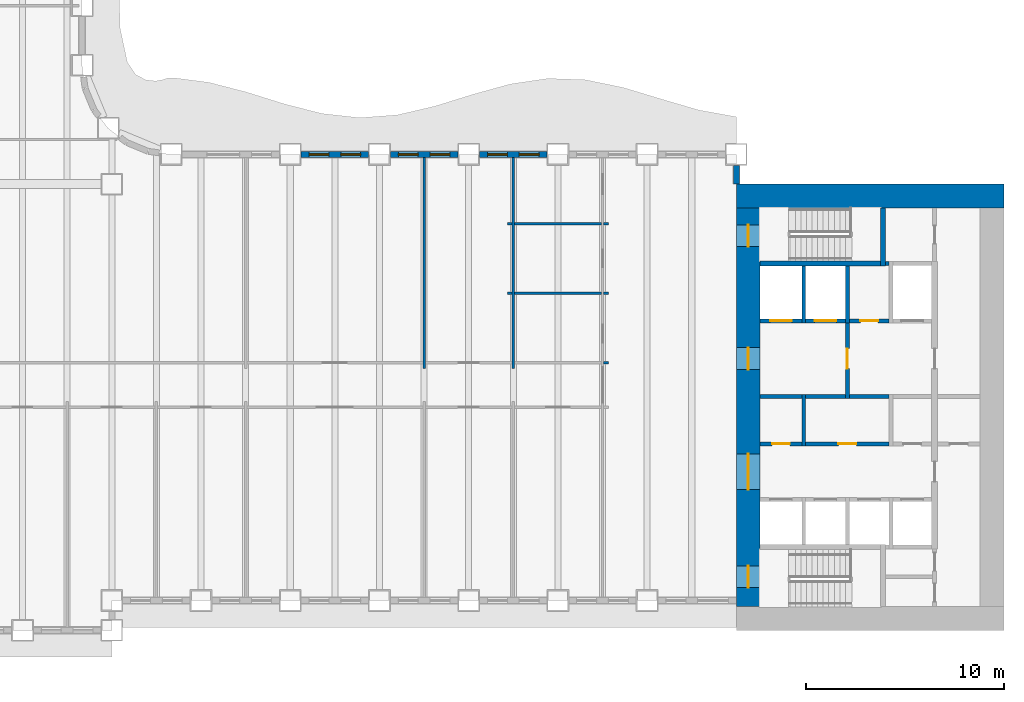
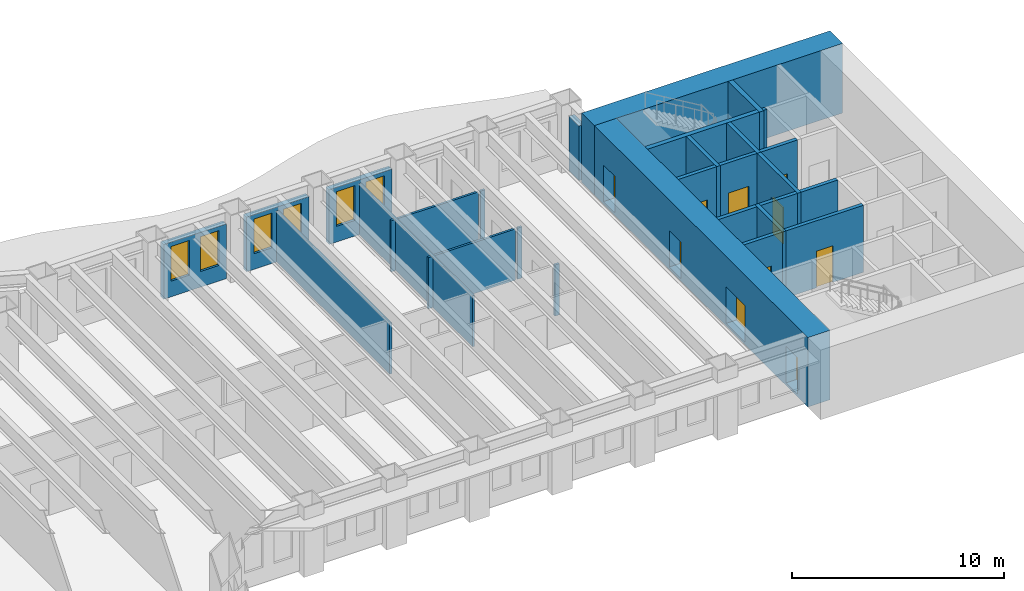
# One storey, part 6 of 16: 30 walls, 10 doors, 6 windows, 16 openings.
"""IFC4 building model written with IfcOpenShell, lengths in metres."""

from ifc_helpers import new_model, si_unit, direction, frame, frame_2d, origin, place, context, subcontext, project, spatial, rectangle, extrude, material, layer, layer_set, type_object, element, fill, save


model = new_model("IFC4")

# Units and contexts
model_context = context("Model", 3, precision=1e-05, world=origin(), true_north=direction((0.0, 1.0)))
body_context = subcontext(model_context, "Body", "Model", "MODEL_VIEW")
ifc_project = project(units=[si_unit("LENGTHUNIT", "METRE"), si_unit("AREAUNIT", "SQUARE_METRE"), si_unit("VOLUMEUNIT", "CUBIC_METRE"), si_unit("PLANEANGLEUNIT", "RADIAN"), si_unit("MASSUNIT", "GRAM", prefix="KILO")], contexts=[model_context])

# Site, building, storey
site_placement = place(None, origin())
site = spatial("IfcSite", under=ifc_project, at=site_placement, CompositionType="ELEMENT")
building_placement = place(site_placement, origin())
building = spatial("IfcBuilding", under=site, at=building_placement, Name="Sennacour Bend Tower", CompositionType="ELEMENT")
storey_placement = place(building_placement, frame((0.0, 0.0, 45.0)))
storey = spatial("IfcBuildingStorey", under=building, at=storey_placement, Name="L09", CompositionType="ELEMENT", Elevation=45.0)

# Wall
ifc_material_1 = material(Name="Concrete C80/95", Category="concrete")
ifc_layer_1 = layer(ifc_material_1, 1.199951171875, Name="Concrete C80/95", Category="concrete")
ifc_layer_set_1 = layer_set([ifc_layer_1], Name="Concrete C80/95")
wall_type_1 = type_object("IfcWallType", Name="Core wall 1200 C80/95", PredefinedType="SHEAR", material=ifc_layer_set_1)
wall_1_placement = place(storey_placement, frame((54.0, 21.89990234375, -0.14990234375), z_axis=(0.0, 0.0, 1.0), x_axis=(1.0, 0.0, 0.0)))
element("IfcWall", 1, at=wall_1_placement, inside=storey, type_object=wall_type_1, Name="Core A wall L09 N", PredefinedType="SHEAR", context=body_context, shape_type="SweptSolid", body=[
    extrude(rectangle(XDim=13.5, YDim=1.199951171875, at=frame_2d((6.75, 0.0))), origin(), (0.0, 0.0, 1.0), 4.0),
])

# Wall, openings, doors
wall_2_placement = place(storey_placement, frame((54.60009765625, 1.199951171875, -0.14990234375), z_axis=(0.0, 0.0, 1.0), x_axis=(0.0, 1.0, 0.0)))
wall_2 = element("IfcWall", 2, at=wall_2_placement, inside=storey, type_object=wall_type_1, Name="Core A wall L09 W", PredefinedType="SHEAR", context=body_context, shape_type="SweptSolid", body=[
    extrude(rectangle(XDim=20.10009765625, YDim=1.199951171875, at=frame_2d((10.050048828125, 0.0))), origin(), (0.0, 0.0, 1.0), 4.0),
])
opening_1_placement = place(wall_2_placement, frame((5.89990234375, 0.0, 0.14990234375)))
opening_1 = element("IfcOpeningElement", 3, at=opening_1_placement, cuts=wall_2, Name="Opening CD", PredefinedType="OPENING", context=body_context, shape_type="SweptSolid", body=[
    extrude(rectangle(XDim=1.800048828125, YDim=2.10009765625, at=frame_2d((0.89990234375, 1.050048828125))), frame((0.0, 0.60986328125, 0.0), z_axis=(0.0, -1.0, 0.0), x_axis=(1.0, 0.0, 0.0)), (0.0, 0.0, 1.0), 1.219970703125),
])
opening_2_placement = place(wall_2_placement, frame((11.949951171875, 0.0, 0.14990234375)))
opening_2 = element("IfcOpeningElement", 4, at=opening_2_placement, cuts=wall_2, Name="Opening FD", PredefinedType="OPENING", context=body_context, shape_type="SweptSolid", body=[
    extrude(rectangle(XDim=1.10009765625, YDim=2.10009765625, at=frame_2d((0.550048828125, 1.050048828125))), frame((0.0, 0.60986328125, 0.0), z_axis=(0.0, -1.0, 0.0), x_axis=(1.0, 0.0, 0.0)), (0.0, 0.0, 1.0), 1.219970703125),
])
opening_3_placement = place(wall_2_placement, frame((0.949951171875, 0.0, 0.14990234375)))
opening_3 = element("IfcOpeningElement", 5, at=opening_3_placement, cuts=wall_2, Name="Opening SD", PredefinedType="OPENING", context=body_context, shape_type="SweptSolid", body=[
    extrude(rectangle(XDim=1.10009765625, YDim=2.10009765625, at=frame_2d((0.550048828125, 1.050048828125))), frame((0.0, 0.60986328125, 0.0), z_axis=(0.0, -1.0, 0.0), x_axis=(1.0, 0.0, 0.0)), (0.0, 0.0, 1.0), 1.219970703125),
])
opening_4_placement = place(wall_2_placement, frame((18.14990234375, 0.0, 0.14990234375)))
opening_4 = element("IfcOpeningElement", 6, at=opening_4_placement, cuts=wall_2, Name="Opening SD", PredefinedType="OPENING", context=body_context, shape_type="SweptSolid", body=[
    extrude(rectangle(XDim=1.10009765625, YDim=2.10009765625, at=frame_2d((0.550048828125, 1.050048828125))), frame((0.0, 0.60986328125, 0.0), z_axis=(0.0, -1.0, 0.0), x_axis=(1.0, 0.0, 0.0)), (0.0, 0.0, 1.0), 1.219970703125),
])
ifc_material_2 = material(Name="Painted steel", Category="steel")
door_type_1 = type_object("IfcDoorType", Name="DR-FFL-1100", OperationType="NOTDEFINED", PredefinedType="DOOR", material=ifc_material_2)
door_1_placement = place(opening_2_placement, origin())
door_1 = element("IfcDoor", 7, at=door_1_placement, inside=storey, type_object=door_type_1, Name="Door", OperationType="SINGLE_SWING_RIGHT", OverallHeight=2.10009765625, OverallWidth=1.10009765625, PredefinedType="DOOR", context=body_context, shape_type="SweptSolid", body=[
    extrude(rectangle(XDim=1.10009765625, YDim=2.10009765625, at=frame_2d((0.550048828125, 1.050048828125))), frame((0.0, 0.02490234375, 0.0), z_axis=(0.0, -1.0, 0.0), x_axis=(1.0, 0.0, 0.0)), (0.0, 0.0, 1.0), 0.050048828125),
])
fill(opening_2, door_1)
door_type_2 = type_object("IfcDoorType", Name="DR-LOBBY-1800", OperationType="NOTDEFINED", PredefinedType="DOOR", material=ifc_material_2)
door_2_placement = place(opening_1_placement, origin())
door_2 = element("IfcDoor", 8, at=door_2_placement, inside=storey, type_object=door_type_2, Name="Door", OperationType="DOUBLE_DOOR_SINGLE_SWING", OverallHeight=2.10009765625, OverallWidth=1.800048828125, PredefinedType="DOOR", context=body_context, shape_type="SweptSolid", body=[
    extrude(rectangle(XDim=1.800048828125, YDim=2.10009765625, at=frame_2d((0.89990234375, 1.050048828125))), frame((0.0, 0.02490234375, 0.0), z_axis=(0.0, -1.0, 0.0), x_axis=(1.0, 0.0, 0.0)), (0.0, 0.0, 1.0), 0.050048828125),
])
fill(opening_1, door_2)
door_type_3 = type_object("IfcDoorType", Name="DR-STAIR-1100", OperationType="NOTDEFINED", PredefinedType="DOOR", material=ifc_material_2)
door_3_placement = place(opening_3_placement, origin())
door_3 = element("IfcDoor", 9, at=door_3_placement, inside=storey, type_object=door_type_3, Name="Door", OperationType="SINGLE_SWING_LEFT", OverallHeight=2.10009765625, OverallWidth=1.10009765625, PredefinedType="DOOR", context=body_context, shape_type="SweptSolid", body=[
    extrude(rectangle(XDim=1.10009765625, YDim=2.10009765625, at=frame_2d((0.550048828125, 1.050048828125))), frame((0.0, 0.02490234375, 0.0), z_axis=(0.0, -1.0, 0.0), x_axis=(1.0, 0.0, 0.0)), (0.0, 0.0, 1.0), 0.050048828125),
])
fill(opening_3, door_3)
door_4_placement = place(opening_4_placement, origin())
door_4 = element("IfcDoor", 10, at=door_4_placement, inside=storey, type_object=door_type_3, Name="Door", OperationType="SINGLE_SWING_RIGHT", OverallHeight=2.10009765625, OverallWidth=1.10009765625, PredefinedType="DOOR", context=body_context, shape_type="SweptSolid", body=[
    extrude(rectangle(XDim=1.10009765625, YDim=2.10009765625, at=frame_2d((0.550048828125, 1.050048828125))), frame((0.0, 0.02490234375, 0.0), z_axis=(0.0, -1.0, 0.0), x_axis=(1.0, 0.0, 0.0)), (0.0, 0.0, 1.0), 0.050048828125),
])
fill(opening_4, door_4)

# Walls
ifc_material_3 = material(Name="Plasterboard partition on steel studs", Category="steel")
ifc_layer_2 = layer(ifc_material_3, 0.1201171875, Name="Plasterboard partition on steel studs", Category="steel")
ifc_layer_set_2 = layer_set([ifc_layer_2], Name="Plasterboard partition on steel studs")
wall_type_2 = type_object("IfcWallType", Name="Partition 120", PredefinedType="PARTITIONING", material=ifc_layer_set_2)
for number, where, z_axis, x_axis, name in (
    (11, (38.25, 13.199951171875, 0.0), (0.0, 0.0, 1.0), (0.0, 1.0, 0.0), "P-L09-W029a"),
    (12, (42.75, 13.199951171875, 0.0), (0.0, 0.0, 1.0), (0.0, 1.0, 0.0), "P-L09-W031a"),
):
    element("IfcWall", number, at=place(storey_placement, frame(where, z_axis=z_axis, x_axis=x_axis)), inside=storey, type_object=wall_type_2, Name=name, PredefinedType="PARTITIONING", context=body_context, shape_type="SweptSolid", body=[
        extrude(rectangle(XDim=10.650146484375, YDim=0.1201171875, at=frame_2d((5.3251953125, 0.0))), origin(), (0.0, 0.0, 1.0), 2.93798828125),
    ])
for number, where, z_axis, x_axis, name in (
    (13, (47.31005859375, 13.5, 0.0), (0.0, 0.0, 1.0), (1.0, 0.0, 0.0), "P-L09-W061ag"),
    (14, (42.449951171875, 17.0, 0.0), (0.0, 0.0, 1.0), (1.0, 0.0, 0.0), "P-L09-W065aa"),
):
    element("IfcWall", number, at=place(storey_placement, frame(where, z_axis=z_axis, x_axis=x_axis)), inside=storey, type_object=wall_type_2, Name=name, PredefinedType="PARTITIONING", context=body_context, shape_type="SweptSolid", body=[
        extrude(rectangle(XDim=0.239990234375, YDim=0.1201171875, at=frame_2d((0.1201171875, 0.0))), origin(), (0.0, 0.0, 1.0), 2.93798828125),
    ])
wall_3_placement = place(storey_placement, frame((42.81005859375, 17.0, 0.0), z_axis=(0.0, 0.0, 1.0), x_axis=(1.0, 0.0, 0.0)))
element("IfcWall", 15, at=wall_3_placement, inside=storey, type_object=wall_type_2, Name="P-L09-W065ab", PredefinedType="PARTITIONING", context=body_context, shape_type="SweptSolid", body=[
    extrude(rectangle(XDim=4.3798828125, YDim=0.1201171875, at=frame_2d((2.18994140625, 0.0))), origin(), (0.0, 0.0, 1.0), 2.93798828125),
])
for number, where, z_axis, x_axis, name in (
    (16, (47.31005859375, 17.0, 0.0), (0.0, 0.0, 1.0), (1.0, 0.0, 0.0), "P-L09-W065ac"),
    (17, (42.449951171875, 20.5, 0.0), (0.0, 0.0, 1.0), (1.0, 0.0, 0.0), "P-L09-W070aa"),
):
    element("IfcWall", number, at=place(storey_placement, frame(where, z_axis=z_axis, x_axis=x_axis)), inside=storey, type_object=wall_type_2, Name=name, PredefinedType="PARTITIONING", context=body_context, shape_type="SweptSolid", body=[
        extrude(rectangle(XDim=0.239990234375, YDim=0.1201171875, at=frame_2d((0.1201171875, 0.0))), origin(), (0.0, 0.0, 1.0), 2.93798828125),
    ])
wall_4_placement = place(storey_placement, frame((42.81005859375, 20.5, 0.0), z_axis=(0.0, 0.0, 1.0), x_axis=(1.0, 0.0, 0.0)))
element("IfcWall", 18, at=wall_4_placement, inside=storey, type_object=wall_type_2, Name="P-L09-W070ab", PredefinedType="PARTITIONING", context=body_context, shape_type="SweptSolid", body=[
    extrude(rectangle(XDim=4.3798828125, YDim=0.1201171875, at=frame_2d((2.18994140625, 0.0))), origin(), (0.0, 0.0, 1.0), 2.93798828125),
])
wall_5_placement = place(storey_placement, frame((47.31005859375, 20.5, 0.0), z_axis=(0.0, 0.0, 1.0), x_axis=(1.0, 0.0, 0.0)))
element("IfcWall", 19, at=wall_5_placement, inside=storey, type_object=wall_type_2, Name="P-L09-W070ac", PredefinedType="PARTITIONING", context=body_context, shape_type="SweptSolid", body=[
    extrude(rectangle(XDim=0.239990234375, YDim=0.1201171875, at=frame_2d((0.1201171875, 0.0))), origin(), (0.0, 0.0, 1.0), 2.93798828125),
])
ifc_material_4 = material(Name="Fire-rated plasterboard partition on steel studs", Category="steel")
ifc_layer_3 = layer(ifc_material_4, 0.199951171875, Name="Fire-rated plasterboard partition on steel studs", Category="steel")
ifc_layer_set_3 = layer_set([ifc_layer_3], Name="Fire-rated plasterboard partition on steel studs")
wall_type_3 = type_object("IfcWallType", Name="Rated partition 200", PredefinedType="PARTITIONING", material=ifc_layer_set_3)
wall_6_placement = place(storey_placement, frame((57.39990234375, 9.300048828125, 0.0), z_axis=(0.0, 0.0, 1.0), x_axis=(0.0, 1.0, 0.0)))
element("IfcWall", 20, at=wall_6_placement, inside=storey, type_object=wall_type_3, Name="P-L09-W035", PredefinedType="PARTITIONING", context=body_context, shape_type="SweptSolid", body=[
    extrude(rectangle(XDim=2.599853515625, YDim=0.199951171875, at=frame_2d((1.2998046875, 0.0))), origin(), (0.0, 0.0, 1.0), 3.85009765625),
])

# Wall, opening, door
wall_7_placement = place(storey_placement, frame((55.199951171875, 9.39990234375, 0.0), z_axis=(0.0, 0.0, 1.0), x_axis=(1.0, 0.0, 0.0)))
wall_7 = element("IfcWall", 21, at=wall_7_placement, inside=storey, type_object=wall_type_3, Name="P-L09-W058a", PredefinedType="PARTITIONING", context=body_context, shape_type="SweptSolid", body=[
    extrude(rectangle(XDim=2.10009765625, YDim=0.199951171875, at=frame_2d((1.050048828125, 0.0))), origin(), (0.0, 0.0, 1.0), 3.85009765625),
])
opening_5_placement = place(wall_7_placement, frame((0.60009765625, 0.0, 0.0)))
opening_5 = element("IfcOpeningElement", 22, at=opening_5_placement, cuts=wall_7, Name="Opening SV", PredefinedType="OPENING", context=body_context, shape_type="SweptSolid", body=[
    extrude(rectangle(XDim=0.89990234375, YDim=2.10009765625, at=frame_2d((0.449951171875, 1.050048828125))), frame((0.0, 0.10986328125, 0.0), z_axis=(0.0, -1.0, 0.0), x_axis=(1.0, 0.0, 0.0)), (0.0, 0.0, 1.0), 0.219970703125),
])
door_type_4 = type_object("IfcDoorType", Name="DR-SERVICE-900", OperationType="NOTDEFINED", PredefinedType="DOOR", material=ifc_material_2)
door_5_placement = place(opening_5_placement, origin())
door_5 = element("IfcDoor", 23, at=door_5_placement, inside=storey, type_object=door_type_4, Name="Door", OperationType="SINGLE_SWING_LEFT", OverallHeight=2.10009765625, OverallWidth=0.89990234375, PredefinedType="DOOR", context=body_context, shape_type="SweptSolid", body=[
    extrude(rectangle(XDim=0.89990234375, YDim=2.10009765625, at=frame_2d((0.449951171875, 1.050048828125))), frame((0.0, 0.02490234375, 0.0), z_axis=(0.0, -1.0, 0.0), x_axis=(1.0, 0.0, 0.0)), (0.0, 0.0, 1.0), 0.050048828125),
])
fill(opening_5, door_5)

wall_8_placement = place(storey_placement, frame((57.5, 9.39990234375, 0.0), z_axis=(0.0, 0.0, 1.0), x_axis=(1.0, 0.0, 0.0)))
wall_8 = element("IfcWall", 24, at=wall_8_placement, inside=storey, type_object=wall_type_3, Name="P-L09-W058b", PredefinedType="PARTITIONING", context=body_context, shape_type="SweptSolid", body=[
    extrude(rectangle(XDim=4.199951171875, YDim=0.199951171875, at=frame_2d((2.10009765625, 0.0))), origin(), (0.0, 0.0, 1.0), 3.85009765625),
])
opening_6_placement = place(wall_8_placement, frame((1.64990234375, 0.0, 0.0)))
opening_6 = element("IfcOpeningElement", 25, at=opening_6_placement, cuts=wall_8, Name="Opening WD", PredefinedType="OPENING", context=body_context, shape_type="SweptSolid", body=[
    extrude(rectangle(XDim=0.89990234375, YDim=2.10009765625, at=frame_2d((0.449951171875, 1.050048828125))), frame((0.0, 0.10986328125, 0.0), z_axis=(0.0, -1.0, 0.0), x_axis=(1.0, 0.0, 0.0)), (0.0, 0.0, 1.0), 0.219970703125),
])
ifc_material_5 = material(Name="Timber", Category="wood")
door_type_5 = type_object("IfcDoorType", Name="DR-WC-900", OperationType="NOTDEFINED", PredefinedType="DOOR", material=ifc_material_5)
door_6_placement = place(opening_6_placement, origin())
door_6 = element("IfcDoor", 26, at=door_6_placement, inside=storey, type_object=door_type_5, Name="Door", OperationType="SINGLE_SWING_RIGHT", OverallHeight=2.10009765625, OverallWidth=0.89990234375, PredefinedType="DOOR", context=body_context, shape_type="SweptSolid", body=[
    extrude(rectangle(XDim=0.89990234375, YDim=2.10009765625, at=frame_2d((0.449951171875, 1.050048828125))), frame((0.0, 0.02490234375, 0.0), z_axis=(0.0, -1.0, 0.0), x_axis=(1.0, 0.0, 0.0)), (0.0, 0.0, 1.0), 0.050048828125),
])
fill(opening_6, door_6)

# Walls
wall_9_placement = place(storey_placement, frame((55.199951171875, 11.800048828125, 0.0), z_axis=(0.0, 0.0, 1.0), x_axis=(1.0, 0.0, 0.0)))
element("IfcWall", 27, at=wall_9_placement, inside=storey, type_object=wall_type_3, Name="P-L09-W060a", PredefinedType="PARTITIONING", context=body_context, shape_type="SweptSolid", body=[
    extrude(rectangle(XDim=2.10009765625, YDim=0.199951171875, at=frame_2d((1.050048828125, 0.0))), origin(), (0.0, 0.0, 1.0), 3.85009765625),
])
for number, where, z_axis, x_axis, name in (
    (28, (57.5, 11.800048828125, 0.0), (0.0, 0.0, 1.0), (1.0, 0.0, 0.0), "P-L09-W060b"),
    (29, (59.699951171875, 11.800048828125, 0.0), (0.0, 0.0, 1.0), (1.0, 0.0, 0.0), "P-L09-W060c"),
):
    element("IfcWall", number, at=place(storey_placement, frame(where, z_axis=z_axis, x_axis=x_axis)), inside=storey, type_object=wall_type_3, Name=name, PredefinedType="PARTITIONING", context=body_context, shape_type="SweptSolid", body=[
        extrude(rectangle(XDim=2.0, YDim=0.199951171875, at=frame_2d((1.0, 0.0))), origin(), (0.0, 0.0, 1.0), 3.85009765625),
    ])

# Wall, opening, door
wall_10_placement = place(storey_placement, frame((59.699951171875, 15.60009765625, 0.0), z_axis=(0.0, 0.0, 1.0), x_axis=(1.0, 0.0, 0.0)))
wall_10 = element("IfcWall", 30, at=wall_10_placement, inside=storey, type_object=wall_type_3, Name="P-L09-W063", PredefinedType="PARTITIONING", context=body_context, shape_type="SweptSolid", body=[
    extrude(rectangle(XDim=2.0, YDim=0.199951171875, at=frame_2d((1.0, 0.0))), origin(), (0.0, 0.0, 1.0), 3.85009765625),
])
opening_7_placement = place(wall_10_placement, frame((0.550048828125, 0.0, 0.0)))
opening_7 = element("IfcOpeningElement", 31, at=opening_7_placement, cuts=wall_10, Name="Opening SV", PredefinedType="OPENING", context=body_context, shape_type="SweptSolid", body=[
    extrude(rectangle(XDim=0.89990234375, YDim=2.10009765625, at=frame_2d((0.449951171875, 1.050048828125))), frame((0.0, 0.10986328125, 0.0), z_axis=(0.0, -1.0, 0.0), x_axis=(1.0, 0.0, 0.0)), (0.0, 0.0, 1.0), 0.219970703125),
])
door_7_placement = place(opening_7_placement, origin())
door_7 = element("IfcDoor", 32, at=door_7_placement, inside=storey, type_object=door_type_4, Name="Door", OperationType="SINGLE_SWING_RIGHT", OverallHeight=2.10009765625, OverallWidth=0.89990234375, PredefinedType="DOOR", context=body_context, shape_type="SweptSolid", body=[
    extrude(rectangle(XDim=0.89990234375, YDim=2.10009765625, at=frame_2d((0.449951171875, 1.050048828125))), frame((0.0, 0.02490234375, 0.0), z_axis=(0.0, -1.0, 0.0), x_axis=(1.0, 0.0, 0.0)), (0.0, 0.0, 1.0), 0.050048828125),
])
fill(opening_7, door_7)

# Wall
wall_11_placement = place(storey_placement, frame((61.52490234375, 18.5, 0.0), z_axis=(0.0, 0.0, 1.0), x_axis=(1.0, 0.0, 0.0)))
element("IfcWall", 33, at=wall_11_placement, inside=storey, type_object=wall_type_3, Name="P-L09-W067", PredefinedType="PARTITIONING", context=body_context, shape_type="SweptSolid", body=[
    extrude(rectangle(XDim=0.175048828125, YDim=0.199951171875, at=frame_2d((0.08740234375, 0.0))), origin(), (0.0, 0.0, 1.0), 3.85009765625),
])

# Wall, opening, door
ifc_layer_4 = layer(ifc_material_4, 0.199951171875, Name="Fire-rated plasterboard partition on steel studs", Category="steel")
ifc_layer_set_4 = layer_set([ifc_layer_4], Name="Fire-rated plasterboard partition on steel studs")
wall_type_4 = type_object("IfcWallType", Name="Rated partition 200 EI 90", PredefinedType="PARTITIONING", material=ifc_layer_set_4)
wall_12_placement = place(storey_placement, frame((59.60009765625, 11.699951171875, 0.0), z_axis=(0.0, 0.0, 1.0), x_axis=(0.0, 1.0, 0.0)))
wall_12 = element("IfcWall", 34, at=wall_12_placement, inside=storey, type_object=wall_type_4, Name="P-L09-W038", PredefinedType="PARTITIONING", context=body_context, shape_type="SweptSolid", body=[
    extrude(rectangle(XDim=3.800048828125, YDim=0.199951171875, at=frame_2d((1.89990234375, 0.0))), origin(), (0.0, 0.0, 1.0), 3.85009765625),
])
opening_8_placement = place(wall_12_placement, frame((1.5, 0.0, 0.0)))
opening_8 = element("IfcOpeningElement", 35, at=opening_8_placement, cuts=wall_12, Name="Opening FD2", PredefinedType="OPENING", context=body_context, shape_type="SweptSolid", body=[
    extrude(rectangle(XDim=1.0, YDim=2.10009765625, at=frame_2d((0.5, 1.050048828125))), frame((0.0, 0.10986328125, 0.0), z_axis=(0.0, -1.0, 0.0), x_axis=(1.0, 0.0, 0.0)), (0.0, 0.0, 1.0), 0.219970703125),
])
door_type_6 = type_object("IfcDoorType", Name="DR-FFL-1000", OperationType="NOTDEFINED", PredefinedType="DOOR", material=ifc_material_2)
door_8_placement = place(opening_8_placement, origin())
door_8 = element("IfcDoor", 36, at=door_8_placement, inside=storey, type_object=door_type_6, Name="Door", OperationType="SINGLE_SWING_RIGHT", OverallHeight=2.10009765625, OverallWidth=1.0, PredefinedType="DOOR", context=body_context, shape_type="SweptSolid", body=[
    extrude(rectangle(XDim=1.0, YDim=2.10009765625, at=frame_2d((0.5, 1.050048828125))), frame((0.0, 0.02490234375, 0.0), z_axis=(0.0, -1.0, 0.0), x_axis=(1.0, 0.0, 0.0)), (0.0, 0.0, 1.0), 0.050048828125),
])
fill(opening_8, door_8)

# Wall
ifc_material_6 = material(Name="Warm limestone cladding", Category="masonry")
ifc_layer_5 = layer(ifc_material_6, 0.050048828125, Name="Warm limestone cladding", Category="masonry")
ifc_material_7 = material(Name="Precast concrete C40/50", Category="concrete")
ifc_layer_6 = layer(ifc_material_7, 0.25, Name="Precast concrete C40/50", Category="concrete")
ifc_layer_set_5 = layer_set([ifc_layer_5, ifc_layer_6], Name="Precast concrete C40/50 with limestone cladding")
wall_type_5 = type_object("IfcWallType", Name="STONE-CLAD PRECAST SPANDREL 300", PredefinedType="STANDARD", material=ifc_layer_set_5)
wall_13_placement = place(storey_placement, frame((54.0, 22.5, 0.0), z_axis=(0.0, 0.0, 1.0), x_axis=(0.0, 1.0, 0.0)))
element("IfcWall", 37, at=wall_13_placement, inside=storey, type_object=wall_type_5, Name="Stone spandrel and pier wall L09 07.00", PredefinedType="STANDARD", context=body_context, shape_type="SweptSolid", body=[
    extrude(rectangle(XDim=0.949951171875, YDim=0.300048828125, at=frame_2d((0.47509765625, 0.0))), origin(), (0.0, 0.0, 1.0), 3.14404296875),
])

# Wall, openings, windows
wall_14_placement = place(storey_placement, frame((44.449951171875, 24.0, 0.0), z_axis=(0.0, 0.0, 1.0), x_axis=(-1.0, 0.0, 0.0)))
wall_14 = element("IfcWall", 38, at=wall_14_placement, inside=storey, type_object=wall_type_5, Name="Stone spandrel and pier wall L09 08.02", PredefinedType="STANDARD", context=body_context, shape_type="SweptSolid", body=[
    extrude(rectangle(XDim=3.39990234375, YDim=0.300048828125, at=frame_2d((1.699951171875, 0.0))), origin(), (0.0, 0.0, 1.0), 3.14404296875),
])
opening_9_placement = place(wall_14_placement, frame((0.39990234375, 0.0, 0.89990234375)))
opening_9 = element("IfcOpeningElement", 39, at=opening_9_placement, cuts=wall_14, Name="Opening W8", PredefinedType="OPENING", context=body_context, shape_type="SweptSolid", body=[
    extrude(rectangle(XDim=1.0, YDim=2.0, at=frame_2d((0.5, 1.0))), frame((0.0, 0.16015625, 0.0), z_axis=(0.0, -1.0, 0.0), x_axis=(1.0, 0.0, 0.0)), (0.0, 0.0, 1.0), 0.320068359375),
])
opening_10_placement = place(wall_14_placement, frame((2.0, 0.0, 0.89990234375)))
opening_10 = element("IfcOpeningElement", 40, at=opening_10_placement, cuts=wall_14, Name="Opening W8", PredefinedType="OPENING", context=body_context, shape_type="SweptSolid", body=[
    extrude(rectangle(XDim=1.0, YDim=2.0, at=frame_2d((0.5, 1.0))), frame((0.0, 0.16015625, 0.0), z_axis=(0.0, -1.0, 0.0), x_axis=(1.0, 0.0, 0.0)), (0.0, 0.0, 1.0), 0.320068359375),
])
ifc_material_8 = material(Name="Clear low-emissivity glass", Category="glass")
window_type = type_object("IfcWindowType", Name="WIN-RIBBON-1000x2000", PartitioningType="SINGLE_PANEL", PredefinedType="WINDOW", material=ifc_material_8)
window_1_placement = place(opening_9_placement, origin())
window_1 = element("IfcWindow", 41, at=window_1_placement, inside=storey, type_object=window_type, Name="Ribbon window L09 08.02.0", OverallHeight=2.0, OverallWidth=1.0, PartitioningType="SINGLE_PANEL", PredefinedType="WINDOW", context=body_context, shape_type="SweptSolid", body=[
    extrude(rectangle(XDim=1.0, YDim=2.0, at=frame_2d((0.5, 1.0))), frame((0.0, 0.030029296875, 0.0), z_axis=(0.0, -1.0, 0.0), x_axis=(1.0, 0.0, 0.0)), (0.0, 0.0, 1.0), 0.06005859375),
])
fill(opening_9, window_1)
window_2_placement = place(opening_10_placement, origin())
window_2 = element("IfcWindow", 42, at=window_2_placement, inside=storey, type_object=window_type, Name="Ribbon window L09 08.02.1", OverallHeight=2.0, OverallWidth=1.0, PartitioningType="SINGLE_PANEL", PredefinedType="WINDOW", context=body_context, shape_type="SweptSolid", body=[
    extrude(rectangle(XDim=1.0, YDim=2.0, at=frame_2d((0.5, 1.0))), frame((0.0, 0.030029296875, 0.0), z_axis=(0.0, -1.0, 0.0), x_axis=(1.0, 0.0, 0.0)), (0.0, 0.0, 1.0), 0.06005859375),
])
fill(opening_10, window_2)

wall_15_placement = place(storey_placement, frame((39.949951171875, 24.0, 0.0), z_axis=(0.0, 0.0, 1.0), x_axis=(-1.0, 0.0, 0.0)))
wall_15 = element("IfcWall", 43, at=wall_15_placement, inside=storey, type_object=wall_type_5, Name="Stone spandrel and pier wall L09 08.03", PredefinedType="STANDARD", context=body_context, shape_type="SweptSolid", body=[
    extrude(rectangle(XDim=3.39990234375, YDim=0.300048828125, at=frame_2d((1.699951171875, 0.0))), origin(), (0.0, 0.0, 1.0), 3.14404296875),
])
opening_11_placement = place(wall_15_placement, frame((0.39990234375, 0.0, 0.89990234375)))
opening_11 = element("IfcOpeningElement", 44, at=opening_11_placement, cuts=wall_15, Name="Opening W8", PredefinedType="OPENING", context=body_context, shape_type="SweptSolid", body=[
    extrude(rectangle(XDim=1.0, YDim=2.0, at=frame_2d((0.5, 1.0))), frame((0.0, 0.16015625, 0.0), z_axis=(0.0, -1.0, 0.0), x_axis=(1.0, 0.0, 0.0)), (0.0, 0.0, 1.0), 0.320068359375),
])
opening_12_placement = place(wall_15_placement, frame((2.0, 0.0, 0.89990234375)))
opening_12 = element("IfcOpeningElement", 45, at=opening_12_placement, cuts=wall_15, Name="Opening W8", PredefinedType="OPENING", context=body_context, shape_type="SweptSolid", body=[
    extrude(rectangle(XDim=1.0, YDim=2.0, at=frame_2d((0.5, 1.0))), frame((0.0, 0.16015625, 0.0), z_axis=(0.0, -1.0, 0.0), x_axis=(1.0, 0.0, 0.0)), (0.0, 0.0, 1.0), 0.320068359375),
])
window_3_placement = place(opening_11_placement, origin())
window_3 = element("IfcWindow", 46, at=window_3_placement, inside=storey, type_object=window_type, Name="Ribbon window L09 08.03.0", OverallHeight=2.0, OverallWidth=1.0, PartitioningType="SINGLE_PANEL", PredefinedType="WINDOW", context=body_context, shape_type="SweptSolid", body=[
    extrude(rectangle(XDim=1.0, YDim=2.0, at=frame_2d((0.5, 1.0))), frame((0.0, 0.030029296875, 0.0), z_axis=(0.0, -1.0, 0.0), x_axis=(1.0, 0.0, 0.0)), (0.0, 0.0, 1.0), 0.06005859375),
])
fill(opening_11, window_3)
window_4_placement = place(opening_12_placement, origin())
window_4 = element("IfcWindow", 47, at=window_4_placement, inside=storey, type_object=window_type, Name="Ribbon window L09 08.03.1", OverallHeight=2.0, OverallWidth=1.0, PartitioningType="SINGLE_PANEL", PredefinedType="WINDOW", context=body_context, shape_type="SweptSolid", body=[
    extrude(rectangle(XDim=1.0, YDim=2.0, at=frame_2d((0.5, 1.0))), frame((0.0, 0.030029296875, 0.0), z_axis=(0.0, -1.0, 0.0), x_axis=(1.0, 0.0, 0.0)), (0.0, 0.0, 1.0), 0.06005859375),
])
fill(opening_12, window_4)

wall_16_placement = place(storey_placement, frame((35.449951171875, 24.0, 0.0), z_axis=(0.0, 0.0, 1.0), x_axis=(-1.0, 0.0, 0.0)))
wall_16 = element("IfcWall", 48, at=wall_16_placement, inside=storey, type_object=wall_type_5, Name="Stone spandrel and pier wall L09 08.04", PredefinedType="STANDARD", context=body_context, shape_type="SweptSolid", body=[
    extrude(rectangle(XDim=3.39990234375, YDim=0.300048828125, at=frame_2d((1.699951171875, 0.0))), origin(), (0.0, 0.0, 1.0), 3.14404296875),
])
opening_13_placement = place(wall_16_placement, frame((0.39990234375, 0.0, 0.89990234375)))
opening_13 = element("IfcOpeningElement", 49, at=opening_13_placement, cuts=wall_16, Name="Opening W8", PredefinedType="OPENING", context=body_context, shape_type="SweptSolid", body=[
    extrude(rectangle(XDim=1.0, YDim=2.0, at=frame_2d((0.5, 1.0))), frame((0.0, 0.16015625, 0.0), z_axis=(0.0, -1.0, 0.0), x_axis=(1.0, 0.0, 0.0)), (0.0, 0.0, 1.0), 0.320068359375),
])
opening_14_placement = place(wall_16_placement, frame((2.0, 0.0, 0.89990234375)))
opening_14 = element("IfcOpeningElement", 50, at=opening_14_placement, cuts=wall_16, Name="Opening W8", PredefinedType="OPENING", context=body_context, shape_type="SweptSolid", body=[
    extrude(rectangle(XDim=1.0, YDim=2.0, at=frame_2d((0.5, 1.0))), frame((0.0, 0.16015625, 0.0), z_axis=(0.0, -1.0, 0.0), x_axis=(1.0, 0.0, 0.0)), (0.0, 0.0, 1.0), 0.320068359375),
])
window_5_placement = place(opening_13_placement, origin())
window_5 = element("IfcWindow", 51, at=window_5_placement, inside=storey, type_object=window_type, Name="Ribbon window L09 08.04.0", OverallHeight=2.0, OverallWidth=1.0, PartitioningType="SINGLE_PANEL", PredefinedType="WINDOW", context=body_context, shape_type="SweptSolid", body=[
    extrude(rectangle(XDim=1.0, YDim=2.0, at=frame_2d((0.5, 1.0))), frame((0.0, 0.030029296875, 0.0), z_axis=(0.0, -1.0, 0.0), x_axis=(1.0, 0.0, 0.0)), (0.0, 0.0, 1.0), 0.06005859375),
])
fill(opening_13, window_5)
window_6_placement = place(opening_14_placement, origin())
window_6 = element("IfcWindow", 52, at=window_6_placement, inside=storey, type_object=window_type, Name="Ribbon window L09 08.04.1", OverallHeight=2.0, OverallWidth=1.0, PartitioningType="SINGLE_PANEL", PredefinedType="WINDOW", context=body_context, shape_type="SweptSolid", body=[
    extrude(rectangle(XDim=1.0, YDim=2.0, at=frame_2d((0.5, 1.0))), frame((0.0, 0.030029296875, 0.0), z_axis=(0.0, -1.0, 0.0), x_axis=(1.0, 0.0, 0.0)), (0.0, 0.0, 1.0), 0.06005859375),
])
fill(opening_14, window_6)

# Walls
ifc_material_9 = material(Name="Concrete C50/60", Category="concrete")
ifc_layer_7 = layer(ifc_material_9, 0.199951171875, Name="Concrete C50/60", Category="concrete")
ifc_layer_set_6 = layer_set([ifc_layer_7], Name="Concrete C50/60")
wall_type_6 = type_object("IfcWallType", Name="Shaft wall 200", PredefinedType="SOLIDWALL", material=ifc_layer_set_6)
for number, where, z_axis, x_axis, name in (
    (53, (57.39990234375, 15.5, 0.0), (0.0, 0.0, 1.0), (0.0, 1.0, 0.0), "P-L09-W036"),
    (54, (59.60009765625, 15.5, 0.0), (0.0, 0.0, 1.0), (0.0, 1.0, 0.0), "P-L09-W039"),
):
    element("IfcWall", number, at=place(storey_placement, frame(where, z_axis=z_axis, x_axis=x_axis)), inside=storey, type_object=wall_type_6, Name=name, PredefinedType="SOLIDWALL", context=body_context, shape_type="SweptSolid", body=[
        extrude(rectangle(XDim=2.875, YDim=0.199951171875, at=frame_2d((1.4375, 0.0))), origin(), (0.0, 0.0, 1.0), 3.85009765625),
    ])

# Wall, opening, door
wall_17_placement = place(storey_placement, frame((55.199951171875, 15.60009765625, 0.0), z_axis=(0.0, 0.0, 1.0), x_axis=(1.0, 0.0, 0.0)))
wall_17 = element("IfcWall", 55, at=wall_17_placement, inside=storey, type_object=wall_type_6, Name="P-L09-W062a", PredefinedType="SOLIDWALL", context=body_context, shape_type="SweptSolid", body=[
    extrude(rectangle(XDim=2.10009765625, YDim=0.199951171875, at=frame_2d((1.050048828125, 0.0))), origin(), (0.0, 0.0, 1.0), 3.85009765625),
])
opening_15_placement = place(wall_17_placement, frame((0.5, 0.0, 0.011962890625)))
opening_15 = element("IfcOpeningElement", 56, at=opening_15_placement, cuts=wall_17, Name="Opening FLD", PredefinedType="OPENING", context=body_context, shape_type="SweptSolid", body=[
    extrude(rectangle(XDim=1.10009765625, YDim=2.10009765625, at=frame_2d((0.550048828125, 1.050048828125))), frame((0.0, 0.10986328125, 0.0), z_axis=(0.0, -1.0, 0.0), x_axis=(1.0, 0.0, 0.0)), (0.0, 0.0, 1.0), 0.219970703125),
])
ifc_material_10 = material(Name="Stainless steel", Category="steel")
door_type_7 = type_object("IfcDoorType", Name="DR-FF-LANDING-1100", OperationType="NOTDEFINED", PredefinedType="DOOR", material=ifc_material_10)
door_9_placement = place(opening_15_placement, origin())
door_9 = element("IfcDoor", 57, at=door_9_placement, inside=storey, type_object=door_type_7, Name="Fire service lift landing door FA1", OperationType="SLIDING_TO_LEFT", OverallHeight=2.10009765625, OverallWidth=1.10009765625, PredefinedType="DOOR", context=body_context, shape_type="SweptSolid", body=[
    extrude(rectangle(XDim=1.10009765625, YDim=2.10009765625, at=frame_2d((0.550048828125, 1.050048828125))), frame((0.0, 0.02490234375, 0.0), z_axis=(0.0, -1.0, 0.0), x_axis=(1.0, 0.0, 0.0)), (0.0, 0.0, 1.0), 0.050048828125),
])
fill(opening_15, door_9)

wall_18_placement = place(storey_placement, frame((57.5, 15.60009765625, 0.0), z_axis=(0.0, 0.0, 1.0), x_axis=(1.0, 0.0, 0.0)))
wall_18 = element("IfcWall", 58, at=wall_18_placement, inside=storey, type_object=wall_type_6, Name="P-L09-W062b", PredefinedType="SOLIDWALL", context=body_context, shape_type="SweptSolid", body=[
    extrude(rectangle(XDim=2.0, YDim=0.199951171875, at=frame_2d((1.0, 0.0))), origin(), (0.0, 0.0, 1.0), 3.85009765625),
])
opening_16_placement = place(wall_18_placement, frame((0.449951171875, 0.0, 0.011962890625)))
opening_16 = element("IfcOpeningElement", 59, at=opening_16_placement, cuts=wall_18, Name="Opening FLD", PredefinedType="OPENING", context=body_context, shape_type="SweptSolid", body=[
    extrude(rectangle(XDim=1.10009765625, YDim=2.10009765625, at=frame_2d((0.550048828125, 1.050048828125))), frame((0.0, 0.10986328125, 0.0), z_axis=(0.0, -1.0, 0.0), x_axis=(1.0, 0.0, 0.0)), (0.0, 0.0, 1.0), 0.219970703125),
])
door_10_placement = place(opening_16_placement, origin())
door_10 = element("IfcDoor", 60, at=door_10_placement, inside=storey, type_object=door_type_7, Name="Fire service lift landing door FA2", OperationType="SLIDING_TO_RIGHT", OverallHeight=2.10009765625, OverallWidth=1.10009765625, PredefinedType="DOOR", context=body_context, shape_type="SweptSolid", body=[
    extrude(rectangle(XDim=1.10009765625, YDim=2.10009765625, at=frame_2d((0.550048828125, 1.050048828125))), frame((0.0, 0.02490234375, 0.0), z_axis=(0.0, -1.0, 0.0), x_axis=(1.0, 0.0, 0.0)), (0.0, 0.0, 1.0), 0.050048828125),
])
fill(opening_16, door_10)

# Walls
ifc_material_11 = material(Name="Concrete C60/75", Category="concrete")
ifc_layer_8 = layer(ifc_material_11, 0.25, Name="Concrete C60/75", Category="concrete")
ifc_layer_set_7 = layer_set([ifc_layer_8], Name="Concrete C60/75")
wall_type_7 = type_object("IfcWallType", Name="Stair wall 250", PredefinedType="SHEAR", material=ifc_layer_set_7)
wall_19_placement = place(storey_placement, frame((61.39990234375, 18.375, 0.0), z_axis=(0.0, 0.0, 1.0), x_axis=(0.0, 1.0, 0.0)))
element("IfcWall", 61, at=wall_19_placement, inside=storey, type_object=wall_type_7, Name="P-L09-W041", PredefinedType="SHEAR", context=body_context, shape_type="SweptSolid", body=[
    extrude(rectangle(XDim=2.925048828125, YDim=0.25, at=frame_2d((1.46240234375, 0.0))), origin(), (0.0, 0.0, 1.0), 3.85009765625),
])
wall_20_placement = place(storey_placement, frame((55.199951171875, 18.5, 0.0), z_axis=(0.0, 0.0, 1.0), x_axis=(1.0, 0.0, 0.0)))
element("IfcWall", 62, at=wall_20_placement, inside=storey, type_object=wall_type_7, Name="P-L09-W066", PredefinedType="SHEAR", context=body_context, shape_type="SweptSolid", body=[
    extrude(rectangle(XDim=6.074951171875, YDim=0.25, at=frame_2d((3.03759765625, 0.0))), origin(), (0.0, 0.0, 1.0), 3.85009765625),
])

save(model, "model.ifc")
